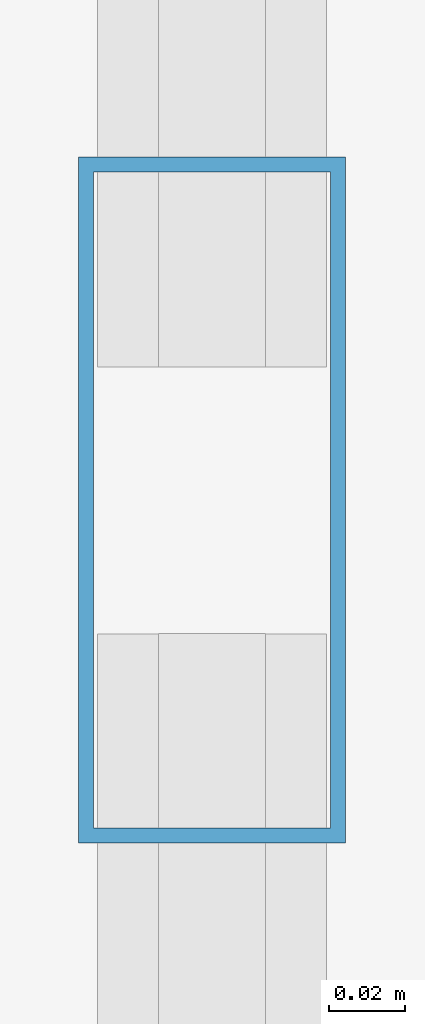
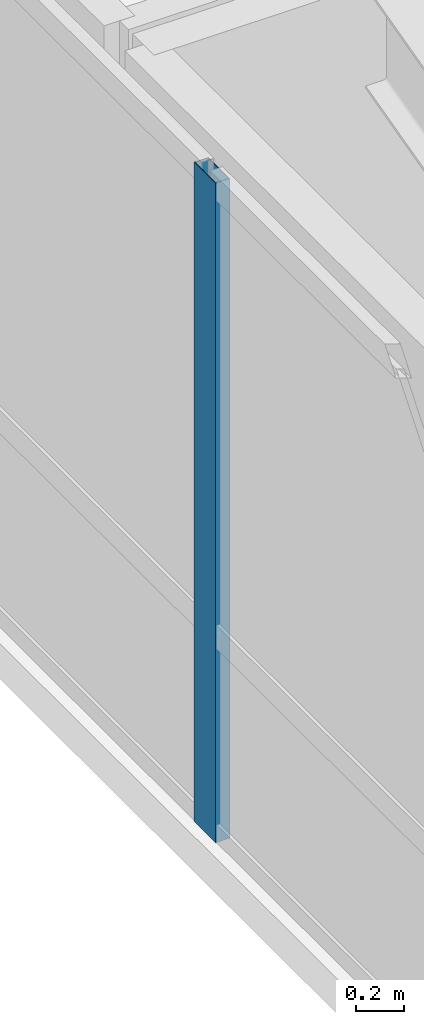
# One storey, part 13 of 28: 1 member, 1 element without a shape of its own.
"""IFC4 building model written with IfcOpenShell, lengths in metres."""

from ifc_helpers import new_model, si_unit, direction, frame, origin, origin_2d, place, context, subcontext, project, spatial, hollow_rectangle, extrude, source, transform, mapped, material, layer, layer_set, material_profile, profile_set, type_object, type_shapes, element, aggregate, save


model = new_model("IFC4")

# Units and contexts
model_context = context("Model", 3, precision=1e-05, world=origin(), true_north=direction((0.0, 1.0)))
body_context = subcontext(model_context, "Body", "Model", "MODEL_VIEW")
ifc_project = project(units=[si_unit("LENGTHUNIT", "METRE"), si_unit("AREAUNIT", "SQUARE_METRE"), si_unit("VOLUMEUNIT", "CUBIC_METRE"), si_unit("PLANEANGLEUNIT", "RADIAN"), si_unit("MASSUNIT", "GRAM", prefix="KILO")], contexts=[model_context])

# Site, building, storey
site_placement = place(None, origin())
site = spatial("IfcSite", under=ifc_project, at=site_placement, CompositionType="ELEMENT")
building_placement = place(site_placement, origin())
building = spatial("IfcBuilding", under=site, at=building_placement, Name="Tolvann Quenvar Hotel", CompositionType="ELEMENT")
storey_placement = place(building_placement, frame((0.0, 0.0, 198.199951171875)))
storey = spatial("IfcBuildingStorey", under=building, at=storey_placement, Name="L52", CompositionType="ELEMENT", Elevation=198.199951171875)

# Curtain wall, member
ifc_material_1 = material(Name="Thermally broken anodised architectural aluminium 6063-T6 and laminated low-E glass", Category="aluminium")
ifc_layer = layer(ifc_material_1, 0.179931640625)
ifc_layer_set = layer_set([ifc_layer], Name="Thermally broken anodised architectural aluminium 6063-T6 and laminated low-E glass")
curtain_wall_type = type_object("IfcCurtainWallType", Name="CW_SYS_BAND_04", PredefinedType="USERDEFINED", material=ifc_layer_set)
curtain_wall_placement = place(storey_placement, origin())
curtain_wall = element("IfcCurtainWall", 1, at=curtain_wall_placement, inside=storey, type_object=curtain_wall_type, Name="Curtain Wall CW-BAND-04 (CWR-L52-E23)", ObjectType="UNITISED CURTAIN WALL", PredefinedType="USERDEFINED")
ifc_material_2 = material(Name="Anodised architectural aluminium 6063-T6 framing", Category="aluminium")
ifc_material_profile = material_profile(ifc_material_2, hollow_rectangle(XDim=0.070068359375, YDim=0.179931640625, WallThickness=0.00390625, at=origin_2d()), Name="180x70x4RHS")
ifc_profile_set = profile_set([ifc_material_profile], Name="Anodised architectural aluminium 6063-T6 framing")
member_type = type_object("IfcMemberType", Name="CW_MULL_180x70", PredefinedType="MULLION", material=ifc_profile_set)
shared_shape = source(origin(), body_context, "Body", "SweptSolid", [
    extrude(hollow_rectangle(XDim=0.070068359375, YDim=0.179931640625, WallThickness=0.00390625, at=origin_2d()), origin(), (0.0, 0.0, 1.0), 3.3701171875),
])
type_shapes(member_type, [shared_shape])
member_placement = place(storey_placement, frame((2.68994140625, 37.26220703125, 0.0), z_axis=(0.0, 0.0, 1.0), x_axis=(1.0, 0.0, 0.0)))
member = element("IfcMember", 2, at=member_placement, type_object=member_type, Name="CW-BAND-04 mullion 2", PredefinedType="MULLION", context=body_context, shape_type="MappedRepresentation", body=[
    mapped(shared_shape, transform((0.0, 0.0, 0.0), x_axis=(1.0, 0.0, 0.0), y_axis=(0.0, 1.0, 0.0), z_axis=(0.0, 0.0, 1.0), scale=1.0)),
])
aggregate(curtain_wall, [member])

save(model, "model.ifc")
